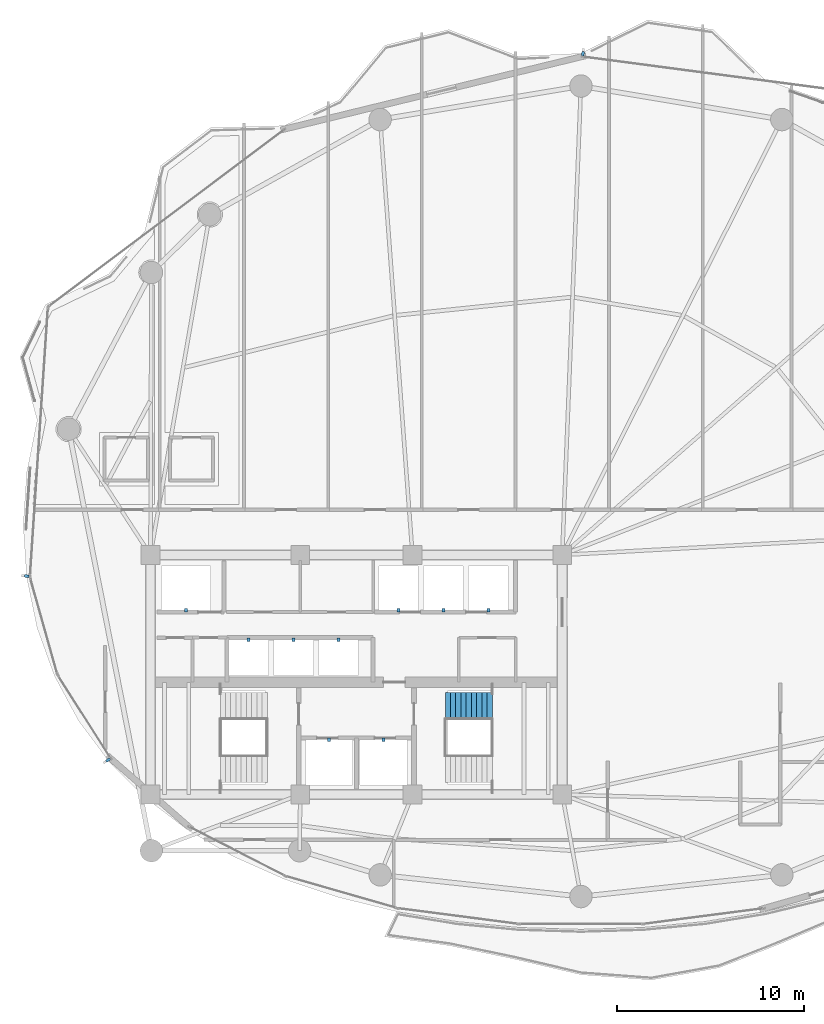
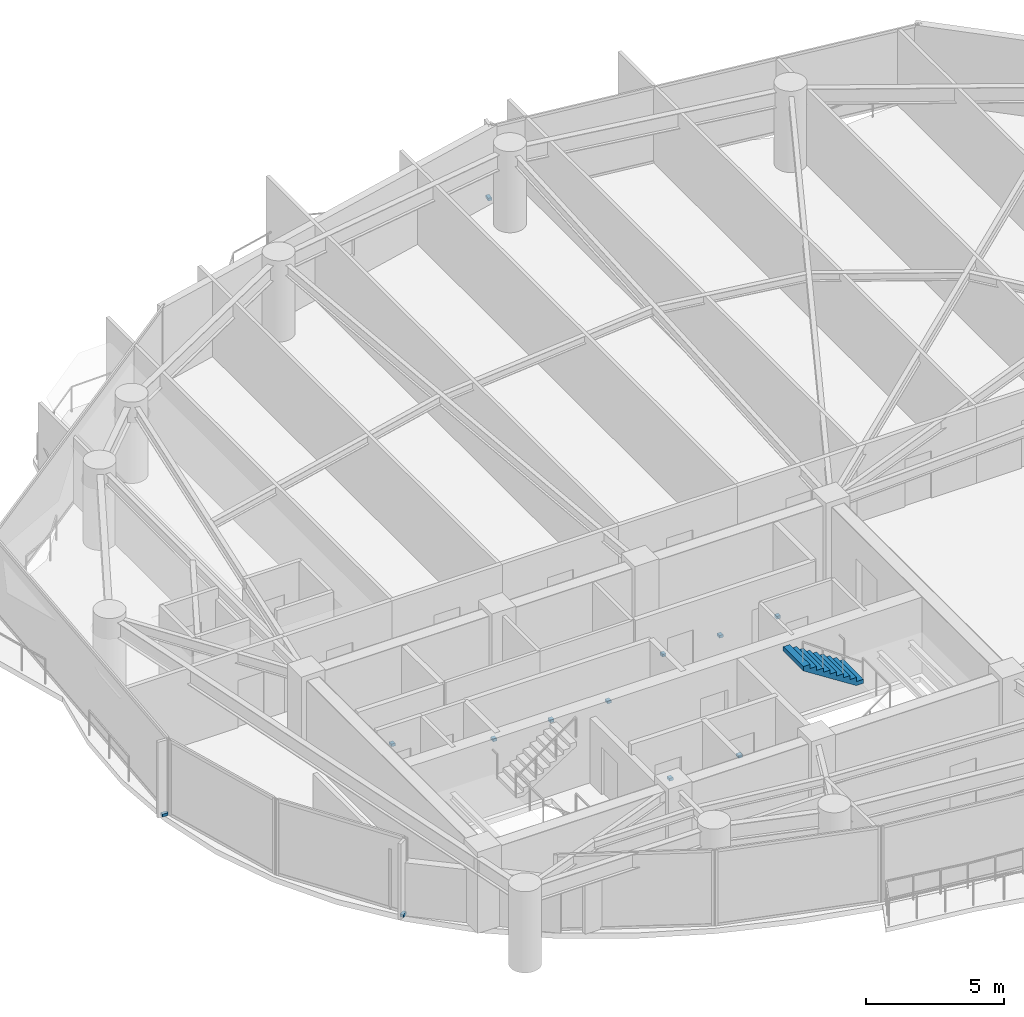
# One storey, part 27 of 30: 12 discrete accessories, 1 stair flight, 1 element without a shape of its own.
"""IFC4 building model written with IfcOpenShell, lengths in metres."""

import ifcopenshell
import ifcopenshell.guid

model = None  # the IFC model being written
_history = None  # IfcOwnerHistory: only IFC2X3 demands one
_inside = {}  # id of a spatial element -> (the spatial element, [elements in it])
_under = {}  # id of a project, library or spatial element -> (it, [spatial elements below it])
_declared = {}  # id of a project -> (the project, [libraries it declares])
_typed = {}  # id of a type object -> (the type object, [elements of that type])
_made_of = {}  # id of a material, layer set ... -> (it, [elements and type objects made of it])


def new_model(schema):
    """Start an empty IFC model of exactly this schema.

    Asked for "IFC4X3", IfcOpenShell would pick the latest addendum, in which some entities
    have other attributes; the version numbers below select the first issue.
    IFC2X3 requires an IfcOwnerHistory on every rooted entity: one is made here for all.
    """
    global model, _history
    if schema == "IFC4X3":
        model = ifcopenshell.file(schema_version=(4, 3, 0, 0))
    else:
        model = ifcopenshell.file(schema=schema)
    _inside.clear()
    _under.clear()
    _declared.clear()
    _typed.clear()
    _made_of.clear()
    _history = None
    if model.schema == "IFC2X3":
        org = make("IfcOrganization", Name="unknown")
        user = make(
            "IfcPersonAndOrganization",
            ThePerson=make("IfcPerson", FamilyName="unknown"),
            TheOrganization=org,
        )
        app = make(
            "IfcApplication",
            ApplicationDeveloper=org,
            Version="unknown",
            ApplicationFullName="unknown",
            ApplicationIdentifier="unknown",
        )
        _history = make(
            "IfcOwnerHistory",
            OwningUser=user,
            OwningApplication=app,
            ChangeAction="ADDED",
            CreationDate=0,
        )
    return model


def make(cls, **values):
    """One entity of the class cls with the attributes given. An attribute that is None is left unset."""
    return model.create_entity(
        cls, **{name: value for name, value in values.items() if value is not None}
    )


def rooted(cls, **values):
    """An entity with a GlobalId (a new one), such as an element, a storey or a relation."""
    return make(cls, GlobalId=ifcopenshell.guid.new(), OwnerHistory=_history, **values)


def si_unit(unit_type, name, prefix=None):
    """IfcSIUnit, for example si_unit("LENGTHUNIT", "METRE", prefix="MILLI")."""
    return make("IfcSIUnit", UnitType=unit_type, Prefix=prefix, Name=name)


def assignment(units):
    """IfcUnitAssignment: the units of a project."""
    return None if units is None else make("IfcUnitAssignment", Units=units)


def point(xyz):
    """IfcCartesianPoint."""
    return None if xyz is None else make("IfcCartesianPoint", Coordinates=xyz)


def direction(xyz):
    """IfcDirection."""
    return None if xyz is None else make("IfcDirection", DirectionRatios=xyz)


def frame(location, z_axis=None, x_axis=None):
    """IfcAxis2Placement3D, a coordinate frame: its origin and axes. An axis left out is left unset."""
    return make(
        "IfcAxis2Placement3D",
        Location=point(location),
        Axis=direction(z_axis),
        RefDirection=direction(x_axis),
    )


def frame_2d(location, x_axis=None):
    """IfcAxis2Placement2D, a coordinate frame in the plane: its origin and x axis."""
    return make(
        "IfcAxis2Placement2D", Location=point(location), RefDirection=direction(x_axis)
    )


def origin():
    """The frame at (0, 0, 0) with its axes left unset."""
    return frame((0.0, 0.0, 0.0))


def origin_2d():
    """The frame at (0, 0) in the plane with its x axis left unset."""
    return frame_2d((0.0, 0.0))


def place(relative_to, where):
    """IfcLocalPlacement: puts the frame where relative to a parent placement (None: the world)."""
    return make(
        "IfcLocalPlacement", PlacementRelTo=relative_to, RelativePlacement=where
    )


def context(
    kind, dimensions, precision=None, world=None, true_north=None, identifier=None
):
    """IfcGeometricRepresentationContext, for example the 3D "Model" context."""
    return make(
        "IfcGeometricRepresentationContext",
        ContextIdentifier=identifier,
        ContextType=kind,
        CoordinateSpaceDimension=dimensions,
        Precision=precision,
        WorldCoordinateSystem=world,
        TrueNorth=true_north,
    )


def subcontext(parent, identifier, kind, view, scale=None):
    """IfcGeometricRepresentationSubContext, for example "Body" below "Model"."""
    return make(
        "IfcGeometricRepresentationSubContext",
        ContextIdentifier=identifier,
        ContextType=kind,
        ParentContext=parent,
        TargetScale=scale,
        TargetView=view,
    )


def project(units=None, contexts=None):
    """IfcProject with its units and contexts."""
    return rooted(
        "IfcProject",
        Name="project",
        RepresentationContexts=contexts,
        UnitsInContext=assignment(units),
    )


def spatial(cls, under=None, at=None, **own):
    """A site, building, storey or space (cls), placed at a placement, below another one or the project."""
    s = rooted(cls, ObjectPlacement=at, **own)
    if under is not None:
        _under.setdefault(under.id(), (under, []))[1].append(s)
    return s


def polyline(points):
    """IfcPolyline through the points."""
    return make("IfcPolyline", Points=[point(p) for p in points])


def profile(cls, at=None, kind="AREA", **sizes):
    """A parametric profile (cls). Its sizes go by their IFC names, for example OverallWidth=200.0."""
    return make(cls, ProfileType=kind, Position=at, **sizes)


def rectangle(**sizes):
    """IfcRectangleProfileDef."""
    return profile("IfcRectangleProfileDef", **sizes)


def outline(outer, holes=None, kind="AREA"):
    """IfcArbitraryClosedProfileDef: a profile drawn as a closed curve; with holes, ...WithVoids."""
    if holes is None:
        return make("IfcArbitraryClosedProfileDef", ProfileType=kind, OuterCurve=outer)
    return make(
        "IfcArbitraryProfileDefWithVoids",
        ProfileType=kind,
        OuterCurve=outer,
        InnerCurves=holes,
    )


def extrude(swept, where, along, depth):
    """IfcExtrudedAreaSolid: the profile swept, set in the frame where, extruded along a direction by depth."""
    return make(
        "IfcExtrudedAreaSolid",
        SweptArea=swept,
        Position=where,
        ExtrudedDirection=direction(along),
        Depth=depth,
    )


def shape(context_of_items, identifier, shape_type, items):
    """IfcShapeRepresentation: the items that make up one representation, for example the "Body"."""
    return make(
        "IfcShapeRepresentation",
        ContextOfItems=context_of_items,
        RepresentationIdentifier=identifier,
        RepresentationType=shape_type,
        Items=items,
    )


def material(Name=None, Category=None):
    """IfcMaterial."""
    return make("IfcMaterial", Name=Name, Category=Category)


def layer(
    of_material, thickness, ventilated=None, Name=None, Category=None, Priority=None
):
    """IfcMaterialLayer: one layer of a wall or slab, of a material (None: an air gap)."""
    return make(
        "IfcMaterialLayer",
        Material=of_material,
        LayerThickness=thickness,
        IsVentilated=ventilated,
        Name=Name,
        Category=Category,
        Priority=Priority,
    )


def layer_set(layers, Name=None):
    """IfcMaterialLayerSet."""
    return make("IfcMaterialLayerSet", MaterialLayers=layers, LayerSetName=Name)


def made_of(thing, what):
    """Note that an element or type object is made of a material, layer set ...; save() writes the relation."""
    if what is not None:
        _made_of.setdefault(what.id(), (what, []))[1].append(thing)
    return thing


def type_object(cls, material=None, **own):
    """A type object (cls), such as IfcWallType, which elements share."""
    return made_of(rooted(cls, **own), material)


def element(
    cls,
    number,
    at=None,
    inside=None,
    cuts=None,
    type_object=None,
    material=None,
    context=None,
    identifier="Body",
    shape_type=None,
    held_by="IfcProductDefinitionShape",
    body=None,
    shapes=None,
    **own,
):
    """One element of the class cls, such as IfcWall. Its Tag is "e" and its number.

    at: its placement. inside: the storey or other place that contains it. cuts: it is an
    opening in that element (IfcRelVoidsElement). A single representation is given by context,
    identifier, shape_type and body (its items); several are given by shapes. held_by: the class
    of the entity that holds the representations. save() writes the other relations.
    """
    e = rooted(cls, Tag="e%d" % number, ObjectPlacement=at, **own)
    if body is not None:
        shapes = [shape(context, identifier, shape_type, body)]
    if shapes is not None:
        e.Representation = make(held_by, Representations=shapes)
    if inside is not None:
        _inside.setdefault(inside.id(), (inside, []))[1].append(e)
    if cuts is not None:
        rooted(
            "IfcRelVoidsElement", RelatingBuildingElement=cuts, RelatedOpeningElement=e
        )
    if type_object is not None:
        _typed.setdefault(type_object.id(), (type_object, []))[1].append(e)
    return made_of(e, material)


def aggregate(whole, parts):
    """IfcRelAggregates: a whole, such as a stair, and the parts it consists of."""
    return rooted("IfcRelAggregates", RelatingObject=whole, RelatedObjects=parts)


def save(model, path):
    """Write the relations noted so far, then the file.

    IfcRelAggregates (storeys below a building ...), IfcRelContainedInSpatialStructure (elements
    in a storey), IfcRelDefinesByType, IfcRelAssociatesMaterial and IfcRelDeclares: one each for
    every whole, place, type object, material and project.
    """
    for whole, parts in _under.values():
        aggregate(whole, parts)
    for where, things in _inside.values():
        rooted(
            "IfcRelContainedInSpatialStructure",
            RelatedElements=things,
            RelatingStructure=where,
        )
    for kind, things in _typed.values():
        rooted("IfcRelDefinesByType", RelatedObjects=things, RelatingType=kind)
    for what, things in _made_of.values():
        rooted("IfcRelAssociatesMaterial", RelatedObjects=things, RelatingMaterial=what)
    for by, libraries in _declared.values():
        rooted("IfcRelDeclares", RelatingContext=by, RelatedDefinitions=libraries)
    model.write(path)


model = new_model("IFC4")

# Units and contexts
model_context = context("Model", 3, precision=1e-05, world=origin(), true_north=direction((0.0, 1.0)))
body_context = subcontext(model_context, "Body", "Model", "MODEL_VIEW")
ifc_project = project(units=[si_unit("LENGTHUNIT", "METRE"), si_unit("AREAUNIT", "SQUARE_METRE"), si_unit("VOLUMEUNIT", "CUBIC_METRE"), si_unit("PLANEANGLEUNIT", "RADIAN"), si_unit("MASSUNIT", "GRAM", prefix="KILO")], contexts=[model_context])

# Site, building, storey
site_placement = place(None, origin())
site = spatial("IfcSite", under=ifc_project, at=site_placement, CompositionType="ELEMENT")
building_placement = place(site_placement, origin())
building = spatial("IfcBuilding", under=site, at=building_placement, Name="Kazevale Care Tower and Concert Hall", CompositionType="ELEMENT")
storey_placement = place(building_placement, frame((0.0, 0.0, 127.800048828125)))
storey = spatial("IfcBuildingStorey", under=building, at=storey_placement, Name="L33", CompositionType="ELEMENT", Elevation=127.800048828125)

# Stair, stair flight
ifc_material_1 = material(Name="Concrete C40", Category="concrete")
stair_type = type_object("IfcStairType", Name="Exit Stair Assembly ST1-Z2", PredefinedType="HALF_TURN_STAIR", material=ifc_material_1)
stair_placement = place(storey_placement, origin())
stair = element("IfcStair", 1, at=stair_placement, inside=storey, type_object=stair_type, Name="stair:L33:ST2", PredefinedType="HALF_TURN_STAIR")
ifc_layer = layer(ifc_material_1, 0.159912109375)
ifc_layer_set = layer_set([ifc_layer], Name="Concrete C40")
stair_flight_type = type_object("IfcStairFlightType", Name="Exit Stair Flight ST1-Z2", PredefinedType="STRAIGHT", material=ifc_layer_set)
stair_flight_placement = place(storey_placement, frame((40.27001953125, 28.320068359375, 1.800048828125), z_axis=(0.0, 0.0, 1.0), x_axis=(-1.0, 0.0, 0.0)))
stair_flight = element("IfcStairFlight", 2, at=stair_flight_placement, type_object=stair_flight_type, Name="ST1-Z2 flight 2", NumberOfRisers=10, NumberOfTreads=9, PredefinedType="STRAIGHT", RiserHeight=0.18, TreadLength=0.28, context=body_context, shape_type="SweptSolid", body=[
    extrude(outline(polyline([(0.0, 0.0), (0.0, 0.179931640625), (0.280029296875, 0.179931640625), (0.280029296875, 0.360107421875), (0.56005859375, 0.360107421875), (0.56005859375, 0.5400390625), (0.840087890625, 0.5400390625), (0.840087890625, 0.719970703125), (1.1201171875, 0.719970703125), (1.1201171875, 0.89990234375), (1.39990234375, 0.89990234375), (1.39990234375, 1.080078125), (1.679931640625, 1.080078125), (1.679931640625, 1.260009765625), (1.9599609375, 1.260009765625), (1.9599609375, 1.43994140625), (2.239990234375, 1.43994140625), (2.239990234375, 1.6201171875), (2.52001953125, 1.6201171875), (2.52001953125, 1.800048828125), (2.52001953125, 1.429931640625), (0.295654296875, 0.0), (0.0, 0.0)])), frame((0.0, 0.72998046875, 0.0), z_axis=(0.0, -1.0, 0.0), x_axis=(1.0, 0.0, 0.0)), (0.0, 0.0, 1.0), 1.4599609375),
])
aggregate(stair, [stair_flight])

# Discrete accessories
ifc_material_2 = material(Name="Stainless Steel 316", Category="steel")
discrete_accessory_type_1 = type_object("IfcDiscreteAccessoryType", Name="Facade Fin Stainless Anchor Bracket BRK-1", PredefinedType="BRACKET", material=ifc_material_2)
for number, where, z_axis, x_axis, name in (
    (3, (19.739013671875, 25.4443359375, 0.0), (0.0, 0.0, 1.0), (-0.843391445813, -0.537299608347, 0.0), "cw:L33:f11:brk"),
    (4, (15.39892578125, 35.273193359375, 0.0), (0.0, 0.0, 1.0), (-0.997778273548, 0.066622194773, 0.0), "cw:L33:f13:brk"),
    (5, (45.1044921875, 63.1708984375, 0.0), (0.0, 0.0, 1.0), (0.130872263805, 0.991399238736, 0.0), "cw:L33:f16:brk"),
):
    element("IfcDiscreteAccessory", number, at=place(storey_placement, frame(where, z_axis=z_axis, x_axis=x_axis)), inside=storey, type_object=discrete_accessory_type_1, Name=name, PredefinedType="BRACKET", context=body_context, shape_type="SweptSolid", body=[
        extrude(rectangle(XDim=0.239990234375, YDim=0.139892578125, at=origin_2d()), origin(), (0.0, 0.0, 1.0), 0.1201171875),
    ])
discrete_accessory_type_2 = type_object("IfcDiscreteAccessoryType", Name="Hoistway Guide-Rail Wall Bracket HBRK-1", PredefinedType="BRACKET", material=ifc_material_2)
for number, where, z_axis, x_axis, name in (
    (6, (31.550048828125, 26.52001953125, 1.239990234375), (0.0, 0.0, 1.0), (1.0, 0.0, 0.0), "hbrk:FFL-1:L33"),
    (7, (34.449951171875, 26.52001953125, 1.239990234375), (0.0, 0.0, 1.0), (1.0, 0.0, 0.0), "hbrk:FFL-2:L33"),
    (8, (23.89990234375, 33.449951171875, 1.239990234375), (0.0, 0.0, 1.0), (1.0, 0.0, 0.0), "hbrk:SVL-1:L33"),
    (9, (35.25, 33.449951171875, 1.239990234375), (0.0, 0.0, 1.0), (1.0, 0.0, 0.0), "hbrk:PM-1:L33"),
    (10, (37.64990234375, 33.449951171875, 1.239990234375), (0.0, 0.0, 1.0), (1.0, 0.0, 0.0), "hbrk:PM-2:L33"),
    (11, (40.050048828125, 33.449951171875, 1.239990234375), (0.0, 0.0, 1.0), (1.0, 0.0, 0.0), "hbrk:PM-3:L33"),
    (12, (27.25, 31.8798828125, 1.239990234375), (0.0, 0.0, 1.0), (1.0, 0.0, 0.0), "hbrk:PH-1:L33"),
    (13, (29.64990234375, 31.8798828125, 1.239990234375), (0.0, 0.0, 1.0), (1.0, 0.0, 0.0), "hbrk:PH-2:L33"),
    (14, (32.050048828125, 31.8798828125, 1.239990234375), (0.0, 0.0, 1.0), (1.0, 0.0, 0.0), "hbrk:PH-3:L33"),
):
    element("IfcDiscreteAccessory", number, at=place(storey_placement, frame(where, z_axis=z_axis, x_axis=x_axis)), inside=storey, type_object=discrete_accessory_type_2, Name=name, PredefinedType="BRACKET", context=body_context, shape_type="SweptSolid", body=[
        extrude(rectangle(XDim=0.159912109375, YDim=0.179931640625, at=origin_2d()), origin(), (0.0, 0.0, 1.0), 0.1201171875),
    ])

save(model, "model.ifc")
